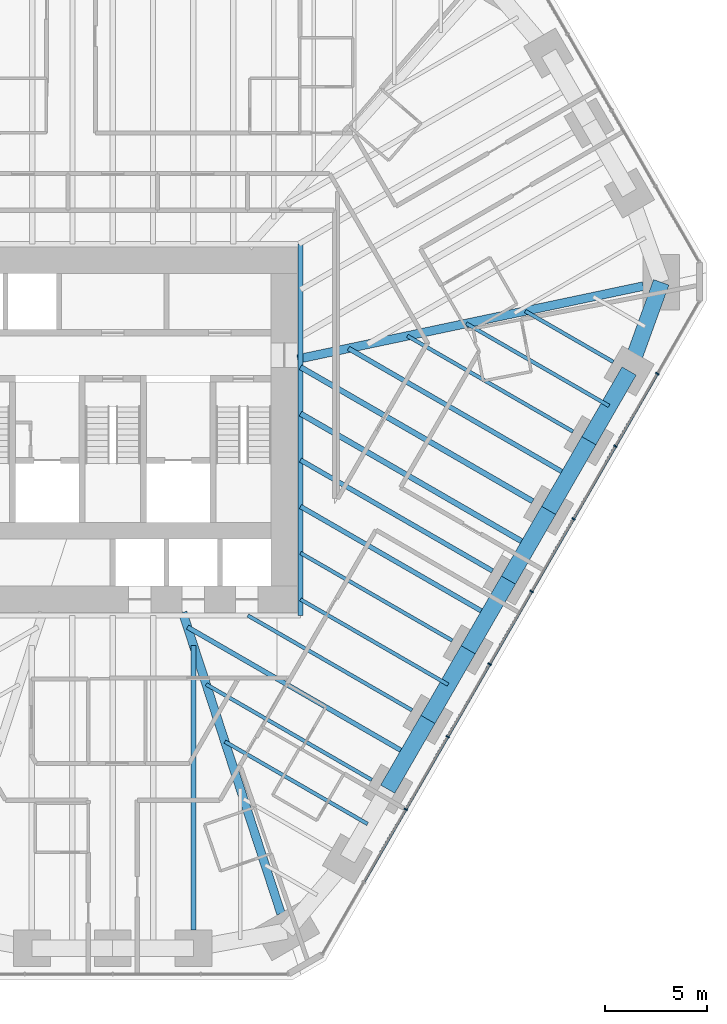
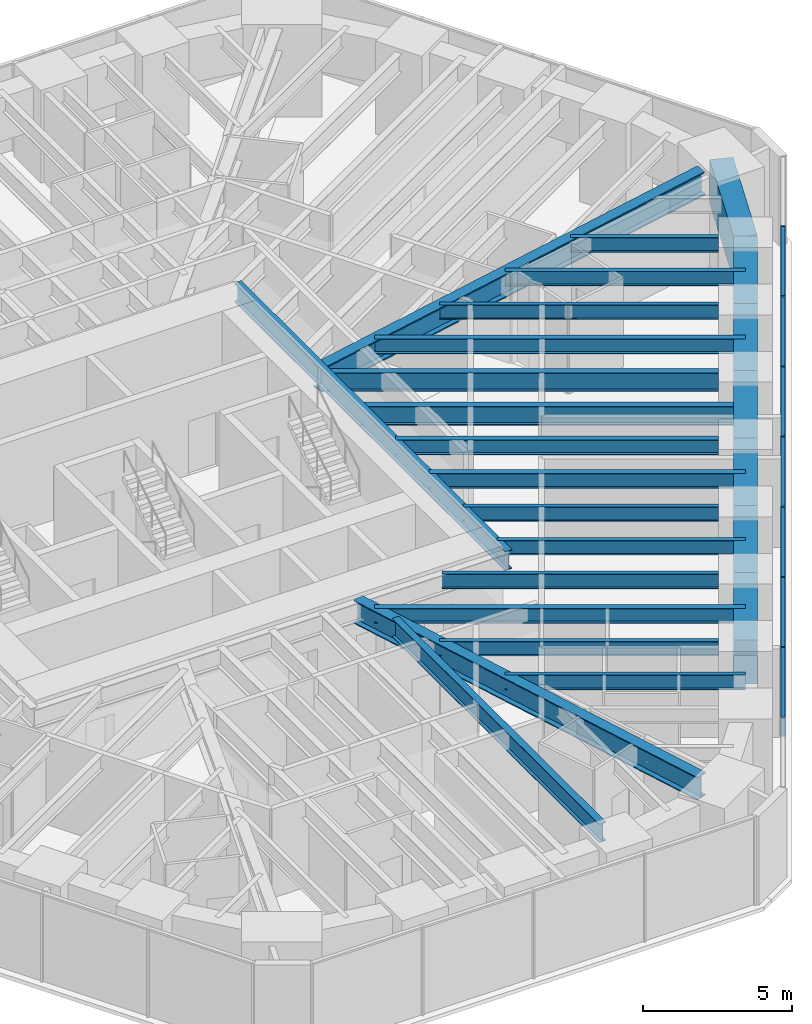
# One storey, part 5 of 17: 25 beams, 14 members, 1 element without a shape of its own.
"""IFC4 building model written with IfcOpenShell, lengths in metres."""

import ifcopenshell
import ifcopenshell.guid

model = None  # the IFC model being written
_history = None  # IfcOwnerHistory: only IFC2X3 demands one
_inside = {}  # id of a spatial element -> (the spatial element, [elements in it])
_under = {}  # id of a project, library or spatial element -> (it, [spatial elements below it])
_declared = {}  # id of a project -> (the project, [libraries it declares])
_typed = {}  # id of a type object -> (the type object, [elements of that type])
_made_of = {}  # id of a material, layer set ... -> (it, [elements and type objects made of it])


def new_model(schema):
    """Start an empty IFC model of exactly this schema.

    Asked for "IFC4X3", IfcOpenShell would pick the latest addendum, in which some entities
    have other attributes; the version numbers below select the first issue.
    IFC2X3 requires an IfcOwnerHistory on every rooted entity: one is made here for all.
    """
    global model, _history
    if schema == "IFC4X3":
        model = ifcopenshell.file(schema_version=(4, 3, 0, 0))
    else:
        model = ifcopenshell.file(schema=schema)
    _inside.clear()
    _under.clear()
    _declared.clear()
    _typed.clear()
    _made_of.clear()
    _history = None
    if model.schema == "IFC2X3":
        org = make("IfcOrganization", Name="unknown")
        user = make(
            "IfcPersonAndOrganization",
            ThePerson=make("IfcPerson", FamilyName="unknown"),
            TheOrganization=org,
        )
        app = make(
            "IfcApplication",
            ApplicationDeveloper=org,
            Version="unknown",
            ApplicationFullName="unknown",
            ApplicationIdentifier="unknown",
        )
        _history = make(
            "IfcOwnerHistory",
            OwningUser=user,
            OwningApplication=app,
            ChangeAction="ADDED",
            CreationDate=0,
        )
    return model


def make(cls, **values):
    """One entity of the class cls with the attributes given. An attribute that is None is left unset."""
    return model.create_entity(
        cls, **{name: value for name, value in values.items() if value is not None}
    )


def rooted(cls, **values):
    """An entity with a GlobalId (a new one), such as an element, a storey or a relation."""
    return make(cls, GlobalId=ifcopenshell.guid.new(), OwnerHistory=_history, **values)


def si_unit(unit_type, name, prefix=None):
    """IfcSIUnit, for example si_unit("LENGTHUNIT", "METRE", prefix="MILLI")."""
    return make("IfcSIUnit", UnitType=unit_type, Prefix=prefix, Name=name)


def assignment(units):
    """IfcUnitAssignment: the units of a project."""
    return None if units is None else make("IfcUnitAssignment", Units=units)


def point(xyz):
    """IfcCartesianPoint."""
    return None if xyz is None else make("IfcCartesianPoint", Coordinates=xyz)


def direction(xyz):
    """IfcDirection."""
    return None if xyz is None else make("IfcDirection", DirectionRatios=xyz)


def frame(location, z_axis=None, x_axis=None):
    """IfcAxis2Placement3D, a coordinate frame: its origin and axes. An axis left out is left unset."""
    return make(
        "IfcAxis2Placement3D",
        Location=point(location),
        Axis=direction(z_axis),
        RefDirection=direction(x_axis),
    )


def frame_2d(location, x_axis=None):
    """IfcAxis2Placement2D, a coordinate frame in the plane: its origin and x axis."""
    return make(
        "IfcAxis2Placement2D", Location=point(location), RefDirection=direction(x_axis)
    )


def origin():
    """The frame at (0, 0, 0) with its axes left unset."""
    return frame((0.0, 0.0, 0.0))


def origin_2d():
    """The frame at (0, 0) in the plane with its x axis left unset."""
    return frame_2d((0.0, 0.0))


def place(relative_to, where):
    """IfcLocalPlacement: puts the frame where relative to a parent placement (None: the world)."""
    return make(
        "IfcLocalPlacement", PlacementRelTo=relative_to, RelativePlacement=where
    )


def context(
    kind, dimensions, precision=None, world=None, true_north=None, identifier=None
):
    """IfcGeometricRepresentationContext, for example the 3D "Model" context."""
    return make(
        "IfcGeometricRepresentationContext",
        ContextIdentifier=identifier,
        ContextType=kind,
        CoordinateSpaceDimension=dimensions,
        Precision=precision,
        WorldCoordinateSystem=world,
        TrueNorth=true_north,
    )


def subcontext(parent, identifier, kind, view, scale=None):
    """IfcGeometricRepresentationSubContext, for example "Body" below "Model"."""
    return make(
        "IfcGeometricRepresentationSubContext",
        ContextIdentifier=identifier,
        ContextType=kind,
        ParentContext=parent,
        TargetScale=scale,
        TargetView=view,
    )


def project(units=None, contexts=None):
    """IfcProject with its units and contexts."""
    return rooted(
        "IfcProject",
        Name="project",
        RepresentationContexts=contexts,
        UnitsInContext=assignment(units),
    )


def spatial(cls, under=None, at=None, **own):
    """A site, building, storey or space (cls), placed at a placement, below another one or the project."""
    s = rooted(cls, ObjectPlacement=at, **own)
    if under is not None:
        _under.setdefault(under.id(), (under, []))[1].append(s)
    return s


def profile(cls, at=None, kind="AREA", **sizes):
    """A parametric profile (cls). Its sizes go by their IFC names, for example OverallWidth=200.0."""
    return make(cls, ProfileType=kind, Position=at, **sizes)


def rectangle(**sizes):
    """IfcRectangleProfileDef."""
    return profile("IfcRectangleProfileDef", **sizes)


def i_section(**sizes):
    """IfcIShapeProfileDef."""
    return profile("IfcIShapeProfileDef", **sizes)


def extrude(swept, where, along, depth):
    """IfcExtrudedAreaSolid: the profile swept, set in the frame where, extruded along a direction by depth."""
    return make(
        "IfcExtrudedAreaSolid",
        SweptArea=swept,
        Position=where,
        ExtrudedDirection=direction(along),
        Depth=depth,
    )


def shape(context_of_items, identifier, shape_type, items):
    """IfcShapeRepresentation: the items that make up one representation, for example the "Body"."""
    return make(
        "IfcShapeRepresentation",
        ContextOfItems=context_of_items,
        RepresentationIdentifier=identifier,
        RepresentationType=shape_type,
        Items=items,
    )


def material(Name=None, Category=None):
    """IfcMaterial."""
    return make("IfcMaterial", Name=Name, Category=Category)


def material_profile(
    of_material, cross_section, Name=None, Category=None, Priority=None
):
    """IfcMaterialProfile: a cross section and its material."""
    return make(
        "IfcMaterialProfile",
        Name=Name,
        Material=of_material,
        Profile=cross_section,
        Priority=Priority,
        Category=Category,
    )


def profile_set(profiles, Name=None, composite=None):
    """IfcMaterialProfileSet."""
    return make(
        "IfcMaterialProfileSet",
        Name=Name,
        MaterialProfiles=profiles,
        CompositeProfile=composite,
    )


def made_of(thing, what):
    """Note that an element or type object is made of a material, layer set ...; save() writes the relation."""
    if what is not None:
        _made_of.setdefault(what.id(), (what, []))[1].append(thing)
    return thing


def type_object(cls, material=None, **own):
    """A type object (cls), such as IfcWallType, which elements share."""
    return made_of(rooted(cls, **own), material)


def element(
    cls,
    number,
    at=None,
    inside=None,
    cuts=None,
    type_object=None,
    material=None,
    context=None,
    identifier="Body",
    shape_type=None,
    held_by="IfcProductDefinitionShape",
    body=None,
    shapes=None,
    **own,
):
    """One element of the class cls, such as IfcWall. Its Tag is "e" and its number.

    at: its placement. inside: the storey or other place that contains it. cuts: it is an
    opening in that element (IfcRelVoidsElement). A single representation is given by context,
    identifier, shape_type and body (its items); several are given by shapes. held_by: the class
    of the entity that holds the representations. save() writes the other relations.
    """
    e = rooted(cls, Tag="e%d" % number, ObjectPlacement=at, **own)
    if body is not None:
        shapes = [shape(context, identifier, shape_type, body)]
    if shapes is not None:
        e.Representation = make(held_by, Representations=shapes)
    if inside is not None:
        _inside.setdefault(inside.id(), (inside, []))[1].append(e)
    if cuts is not None:
        rooted(
            "IfcRelVoidsElement", RelatingBuildingElement=cuts, RelatedOpeningElement=e
        )
    if type_object is not None:
        _typed.setdefault(type_object.id(), (type_object, []))[1].append(e)
    return made_of(e, material)


def aggregate(whole, parts):
    """IfcRelAggregates: a whole, such as a stair, and the parts it consists of."""
    return rooted("IfcRelAggregates", RelatingObject=whole, RelatedObjects=parts)


def save(model, path):
    """Write the relations noted so far, then the file.

    IfcRelAggregates (storeys below a building ...), IfcRelContainedInSpatialStructure (elements
    in a storey), IfcRelDefinesByType, IfcRelAssociatesMaterial and IfcRelDeclares: one each for
    every whole, place, type object, material and project.
    """
    for whole, parts in _under.values():
        aggregate(whole, parts)
    for where, things in _inside.values():
        rooted(
            "IfcRelContainedInSpatialStructure",
            RelatedElements=things,
            RelatingStructure=where,
        )
    for kind, things in _typed.values():
        rooted("IfcRelDefinesByType", RelatedObjects=things, RelatingType=kind)
    for what, things in _made_of.values():
        rooted("IfcRelAssociatesMaterial", RelatedObjects=things, RelatingMaterial=what)
    for by, libraries in _declared.values():
        rooted("IfcRelDeclares", RelatingContext=by, RelatedDefinitions=libraries)
    model.write(path)


model = new_model("IFC4")

# Units and contexts
model_context = context("Model", 3, precision=1e-05, world=origin(), true_north=direction((0.0, 1.0)))
body_context = subcontext(model_context, "Body", "Model", "MODEL_VIEW")
ifc_project = project(units=[si_unit("LENGTHUNIT", "METRE"), si_unit("AREAUNIT", "SQUARE_METRE"), si_unit("VOLUMEUNIT", "CUBIC_METRE"), si_unit("PLANEANGLEUNIT", "RADIAN"), si_unit("MASSUNIT", "GRAM", prefix="KILO")], contexts=[model_context])

# Site, building, storey
site_placement = place(None, origin())
site = spatial("IfcSite", under=ifc_project, at=site_placement, CompositionType="ELEMENT")
building_placement = place(site_placement, origin())
building = spatial("IfcBuilding", under=site, at=building_placement, Name="Sandreach Pilgrim Tower", CompositionType="ELEMENT")
storey_placement = place(building_placement, frame((0.0, 0.0, 108.199951171875)))
storey = spatial("IfcBuildingStorey", under=building, at=storey_placement, Name="L26", CompositionType="ELEMENT", Elevation=108.199951171875)

# Curtain wall, members
ifc_material_1 = material(Name="Aluminium framed curtain wall", Category="aluminium")
curtain_wall_type = type_object("IfcCurtainWallType", Name="Hotel tower curtain wall", PredefinedType="NOTDEFINED", material=ifc_material_1)
curtain_wall_placement = place(storey_placement, origin())
curtain_wall = element("IfcCurtainWall", 1, at=curtain_wall_placement, inside=storey, type_object=curtain_wall_type, Name="CW-2 L26 SE", PredefinedType="NOTDEFINED")
ifc_material_2 = material(Name="Aluminium extrusion", Category="aluminium")
ifc_material_profile_1 = material_profile(ifc_material_2, rectangle(XDim=0.06494140625, YDim=0.179931640625, at=origin_2d()), Name="CW-2M 65X180")
ifc_profile_set_1 = profile_set([ifc_material_profile_1], Name="Aluminium extrusion")
member_type_1 = type_object("IfcMemberType", Name="CW-2 mullion", PredefinedType="MULLION", material=ifc_profile_set_1)
member_1_placement = place(storey_placement, frame((26.66748046875, 1.20166015625, 0.0), z_axis=(0.0, 0.0, 1.0), x_axis=(-0.5, -0.866025403784, 0.0)))
member_1 = element("IfcMember", 2, at=member_1_placement, type_object=member_type_1, Name="CW-2 mullion 2", PredefinedType="MULLION", context=body_context, shape_type="SweptSolid", body=[
    extrude(rectangle(XDim=0.06494140625, YDim=0.179931640625, at=origin_2d()), origin(), (0.0, 0.0, 1.0), 3.64013671875),
])
member_2_placement = place(storey_placement, frame((24.614013671875, -2.35498046875, 0.0), z_axis=(0.0, 0.0, 1.0), x_axis=(-0.5, -0.866025403784, 0.0)))
member_2 = element("IfcMember", 3, at=member_2_placement, type_object=member_type_1, Name="CW-2 mullion 3", PredefinedType="MULLION", context=body_context, shape_type="SweptSolid", body=[
    extrude(rectangle(XDim=0.06494140625, YDim=0.179931640625, at=origin_2d()), origin(), (0.0, 0.0, 1.0), 3.64013671875),
])
member_3_placement = place(storey_placement, frame((22.560302734375, -5.911865234375, 0.0), z_axis=(0.0, 0.0, 1.0), x_axis=(-0.5, -0.866025403784, 0.0)))
member_3 = element("IfcMember", 4, at=member_3_placement, type_object=member_type_1, Name="CW-2 mullion 4", PredefinedType="MULLION", context=body_context, shape_type="SweptSolid", body=[
    extrude(rectangle(XDim=0.06494140625, YDim=0.179931640625, at=origin_2d()), origin(), (0.0, 0.0, 1.0), 3.64013671875),
])
member_4_placement = place(storey_placement, frame((20.5068359375, -9.468505859375, 0.0), z_axis=(0.0, 0.0, 1.0), x_axis=(-0.5, -0.866025403784, 0.0)))
member_4 = element("IfcMember", 5, at=member_4_placement, type_object=member_type_1, Name="CW-2 mullion 5", PredefinedType="MULLION", context=body_context, shape_type="SweptSolid", body=[
    extrude(rectangle(XDim=0.06494140625, YDim=0.179931640625, at=origin_2d()), origin(), (0.0, 0.0, 1.0), 3.64013671875),
])
member_5_placement = place(storey_placement, frame((18.453369140625, -13.025146484375, 0.0), z_axis=(0.0, 0.0, 1.0), x_axis=(-0.5, -0.866025403784, 0.0)))
member_5 = element("IfcMember", 6, at=member_5_placement, type_object=member_type_1, Name="CW-2 mullion 6", PredefinedType="MULLION", context=body_context, shape_type="SweptSolid", body=[
    extrude(rectangle(XDim=0.06494140625, YDim=0.179931640625, at=origin_2d()), origin(), (0.0, 0.0, 1.0), 3.64013671875),
])
member_6_placement = place(storey_placement, frame((16.39990234375, -16.58203125, 0.0), z_axis=(0.0, 0.0, 1.0), x_axis=(-0.5, -0.866025403784, 0.0)))
member_6 = element("IfcMember", 7, at=member_6_placement, type_object=member_type_1, Name="CW-2 mullion 7", PredefinedType="MULLION", context=body_context, shape_type="SweptSolid", body=[
    extrude(rectangle(XDim=0.06494140625, YDim=0.179931640625, at=origin_2d()), origin(), (0.0, 0.0, 1.0), 3.64013671875),
])
member_7_placement = place(storey_placement, frame((14.346435546875, -20.138671875, 0.0), z_axis=(0.0, 0.0, 1.0), x_axis=(-0.5, -0.866025403784, 0.0)))
member_7 = element("IfcMember", 8, at=member_7_placement, type_object=member_type_1, Name="CW-2 mullion 8", PredefinedType="MULLION", context=body_context, shape_type="SweptSolid", body=[
    extrude(rectangle(XDim=0.06494140625, YDim=0.179931640625, at=origin_2d()), origin(), (0.0, 0.0, 1.0), 3.64013671875),
])
ifc_material_3 = material(Name="Aluminium extrusion", Category="aluminium")
ifc_material_profile_2 = material_profile(ifc_material_3, rectangle(XDim=0.139892578125, YDim=0.070068359375, at=origin_2d()), Name="CW-2T 140X70")
ifc_profile_set_2 = profile_set([ifc_material_profile_2], Name="Aluminium extrusion")
member_type_2 = type_object("IfcMemberType", Name="CW-2 transom", PredefinedType="USERDEFINED", material=ifc_profile_set_2)
member_8_placement = place(storey_placement, frame((26.651123046875, 1.173583984375, 3.60498046875), z_axis=(-0.499997818338, -0.866026663364, 0.0), x_axis=(0.866026663364, -0.499997818338, 0.0)))
member_8 = element("IfcMember", 9, at=member_8_placement, type_object=member_type_2, Name="CW-2 head transom 2", ObjectType="TRANSOM", PredefinedType="USERDEFINED", context=body_context, shape_type="SweptSolid", body=[
    extrude(rectangle(XDim=0.139892578125, YDim=0.070068359375, at=origin_2d()), origin(), (0.0, 0.0, 1.0), 4.0419921875),
])
member_9_placement = place(storey_placement, frame((24.59765625, -2.38330078125, 3.60498046875), z_axis=(-0.500023973715, -0.866011562111, 0.0), x_axis=(0.866011562111, -0.500023973715, 0.0)))
member_9 = element("IfcMember", 10, at=member_9_placement, type_object=member_type_2, Name="CW-2 head transom 3", ObjectType="TRANSOM", PredefinedType="USERDEFINED", context=body_context, shape_type="SweptSolid", body=[
    extrude(rectangle(XDim=0.139892578125, YDim=0.070068359375, at=origin_2d()), origin(), (0.0, 0.0, 1.0), 4.041748046875),
])
member_10_placement = place(storey_placement, frame((22.544189453125, -5.93994140625, 3.60498046875), z_axis=(-0.499997818338, -0.866026663364, 0.0), x_axis=(0.866026663364, -0.499997818338, 0.0)))
member_10 = element("IfcMember", 11, at=member_10_placement, type_object=member_type_2, Name="CW-2 head transom 4", ObjectType="TRANSOM", PredefinedType="USERDEFINED", context=body_context, shape_type="SweptSolid", body=[
    extrude(rectangle(XDim=0.139892578125, YDim=0.070068359375, at=origin_2d()), origin(), (0.0, 0.0, 1.0), 4.0419921875),
])
member_11_placement = place(storey_placement, frame((20.49072265625, -9.49658203125, 3.60498046875), z_axis=(-0.499997818338, -0.866026663364, 0.0), x_axis=(0.866026663364, -0.499997818338, 0.0)))
member_11 = element("IfcMember", 12, at=member_11_placement, type_object=member_type_2, Name="CW-2 head transom 5", ObjectType="TRANSOM", PredefinedType="USERDEFINED", context=body_context, shape_type="SweptSolid", body=[
    extrude(rectangle(XDim=0.139892578125, YDim=0.070068359375, at=origin_2d()), origin(), (0.0, 0.0, 1.0), 4.0419921875),
])
member_12_placement = place(storey_placement, frame((18.437255859375, -13.053466796875, 3.60498046875), z_axis=(-0.499997818338, -0.866026663364, 0.0), x_axis=(0.866026663364, -0.499997818338, 0.0)))
member_12 = element("IfcMember", 13, at=member_12_placement, type_object=member_type_2, Name="CW-2 head transom 6", ObjectType="TRANSOM", PredefinedType="USERDEFINED", context=body_context, shape_type="SweptSolid", body=[
    extrude(rectangle(XDim=0.139892578125, YDim=0.070068359375, at=origin_2d()), origin(), (0.0, 0.0, 1.0), 4.0419921875),
])
member_13_placement = place(storey_placement, frame((16.3837890625, -16.610107421875, 3.60498046875), z_axis=(-0.499997818338, -0.866026663364, 0.0), x_axis=(0.866026663364, -0.499997818338, 0.0)))
member_13 = element("IfcMember", 14, at=member_13_placement, type_object=member_type_2, Name="CW-2 head transom 7", ObjectType="TRANSOM", PredefinedType="USERDEFINED", context=body_context, shape_type="SweptSolid", body=[
    extrude(rectangle(XDim=0.139892578125, YDim=0.070068359375, at=origin_2d()), origin(), (0.0, 0.0, 1.0), 4.0419921875),
])
member_14_placement = place(storey_placement, frame((14.330322265625, -20.1669921875, 3.60498046875), z_axis=(-0.500023973715, -0.866011562111, 0.0), x_axis=(0.866011562111, -0.500023973715, 0.0)))
member_14 = element("IfcMember", 15, at=member_14_placement, type_object=member_type_2, Name="CW-2 head transom 8", ObjectType="TRANSOM", PredefinedType="USERDEFINED", context=body_context, shape_type="SweptSolid", body=[
    extrude(rectangle(XDim=0.139892578125, YDim=0.070068359375, at=origin_2d()), origin(), (0.0, 0.0, 1.0), 4.041748046875),
])
aggregate(curtain_wall, [member_1, member_2, member_3, member_4, member_5, member_6, member_7, member_8, member_9, member_10, member_11, member_12, member_13, member_14])

# Beams
ifc_material_4 = material(Name="Steel ASTM A992 Grade 50", Category="steel")
ifc_material_profile_3 = material_profile(ifc_material_4, i_section(OverallWidth=0.2666015625, OverallDepth=0.77978515625, WebThickness=0.0166015625, FlangeThickness=0.030029296875, at=origin_2d()), Name="W30X148")
ifc_profile_set_3 = profile_set([ifc_material_profile_3], Name="Steel ASTM A992 Grade 50")
beam_type_1 = type_object("IfcBeamType", Name="Core edge beam W30X148", PredefinedType="BEAM", material=ifc_profile_set_3)
beam_1_placement = place(storey_placement, frame((9.193359375, 7.54345703125, 3.250244140625), z_axis=(0.0, -1.0, 0.0), x_axis=(1.0, 0.0, 0.0)))
element("IfcBeam", 16, at=beam_1_placement, inside=storey, type_object=beam_type_1, Name="BM L26 CEE", PredefinedType="BEAM", context=body_context, shape_type="SweptSolid", body=[
    extrude(i_section(OverallWidth=0.2666015625, OverallDepth=0.77978515625, WebThickness=0.0166015625, FlangeThickness=0.030029296875, at=origin_2d()), origin(), (0.0, 0.0, 1.0), 18.186767578125),
])
ifc_material_5 = material(Name="Steel ASTM A992 Grade 50", Category="steel")
ifc_material_profile_4 = material_profile(ifc_material_5, i_section(OverallWidth=0.421630859375, OverallDepth=0.937255859375, WebThickness=0.0224609375, FlangeThickness=0.039794921875, at=origin_2d()), Name="W36X282")
ifc_profile_set_4 = profile_set([ifc_material_profile_4], Name="Steel ASTM A992 Grade 50")
beam_type_2 = type_object("IfcBeamType", Name="Corner girder W36X282", PredefinedType="BEAM", material=ifc_profile_set_4)
beam_2_placement = place(storey_placement, frame((8.238525390625, -25.23876953125, 3.17138671875), z_axis=(-0.310307109519, 0.950636364643, 0.0), x_axis=(-0.950636364643, -0.310307109519, 0.0)))
element("IfcBeam", 17, at=beam_2_placement, inside=storey, type_object=beam_type_2, Name="BM L26 CG22", PredefinedType="BEAM", context=body_context, shape_type="SweptSolid", body=[
    extrude(i_section(OverallWidth=0.421630859375, OverallDepth=0.937255859375, WebThickness=0.0224609375, FlangeThickness=0.039794921875, at=origin_2d()), origin(), (0.0, 0.0, 1.0), 15.504150390625),
])
ifc_material_6 = material(Name="Steel ASTM A992 Grade 50", Category="steel")
ifc_material_profile_5 = material_profile(ifc_material_6, i_section(OverallWidth=0.424072265625, OverallDepth=0.965087890625, WebThickness=0.028564453125, FlangeThickness=0.051025390625, at=origin_2d()), Name="W36X361")
ifc_profile_set_5 = profile_set([ifc_material_profile_5], Name="Steel ASTM A992 Grade 50")
beam_type_3 = type_object("IfcBeamType", Name="Corner girder W36X361", PredefinedType="BEAM", material=ifc_profile_set_5)
beam_3_placement = place(storey_placement, frame((25.976806640625, 5.484619140625, 3.157470703125), z_axis=(-0.978427882284, -0.206588671447, 0.0), x_axis=(0.206588671447, -0.978427882284, 0.0)))
element("IfcBeam", 18, at=beam_3_placement, inside=storey, type_object=beam_type_3, Name="BM L26 CG13", PredefinedType="BEAM", context=body_context, shape_type="SweptSolid", body=[
    extrude(i_section(OverallWidth=0.424072265625, OverallDepth=0.965087890625, WebThickness=0.028564453125, FlangeThickness=0.051025390625, at=origin_2d()), origin(), (0.0, 0.0, 1.0), 17.300048828125),
])
ifc_material_7 = material(Name="Steel ASTM A992 Grade 50", Category="steel")
ifc_material_profile_6 = material_profile(ifc_material_7, i_section(OverallWidth=0.1787109375, OverallDepth=0.60205078125, WebThickness=0.010986328125, FlangeThickness=0.014892578125, at=origin_2d()), Name="W24X62")
ifc_profile_set_6 = profile_set([ifc_material_profile_6], Name="Steel ASTM A992 Grade 50")
beam_type_4 = type_object("IfcBeamType", Name="Floor beam W24X62", PredefinedType="BEAM", material=ifc_profile_set_6)
beam_4_placement = place(storey_placement, frame((24.50439453125, 1.775390625, 3.339111328125), z_axis=(-0.866024645457, 0.500001313459, 0.0), x_axis=(-0.500001313459, -0.866024645457, 0.0)))
element("IfcBeam", 19, at=beam_4_placement, inside=storey, type_object=beam_type_4, Name="BM L26 F14", PredefinedType="BEAM", context=body_context, shape_type="SweptSolid", body=[
    extrude(i_section(OverallWidth=0.1787109375, OverallDepth=0.60205078125, WebThickness=0.010986328125, FlangeThickness=0.014892578125, at=origin_2d()), origin(), (0.0, 0.0, 1.0), 4.9765625),
])
beam_5_placement = place(storey_placement, frame((22.534423828125, -1.63671875, 3.339111328125), z_axis=(-0.866012351917, 0.500022605817, 0.0), x_axis=(-0.500022605817, -0.866012351917, 0.0)))
element("IfcBeam", 20, at=beam_5_placement, inside=storey, type_object=beam_type_4, Name="BM L26 F15", PredefinedType="BEAM", context=body_context, shape_type="SweptSolid", body=[
    extrude(i_section(OverallWidth=0.1787109375, OverallDepth=0.60205078125, WebThickness=0.010986328125, FlangeThickness=0.014892578125, at=origin_2d()), origin(), (0.0, 0.0, 1.0), 9.3642578125),
])
beam_6_placement = place(storey_placement, frame((16.62451171875, -11.873046875, 3.339111328125), z_axis=(-0.866017857595, 0.500013070155, 0.0), x_axis=(-0.500013070155, -0.866017857595, 0.0)))
element("IfcBeam", 21, at=beam_6_placement, inside=storey, type_object=beam_type_4, Name="BM L26 F18", PredefinedType="BEAM", context=body_context, shape_type="SweptSolid", body=[
    extrude(i_section(OverallWidth=0.1787109375, OverallDepth=0.60205078125, WebThickness=0.010986328125, FlangeThickness=0.014892578125, at=origin_2d()), origin(), (0.0, 0.0, 1.0), 8.580810546875),
])
beam_7_placement = place(storey_placement, frame((14.654541015625, -15.28515625, 3.339111328125), z_axis=(-0.866015659929, 0.500016876472, 0.0), x_axis=(-0.500016876472, -0.866015659929, 0.0)))
element("IfcBeam", 22, at=beam_7_placement, inside=storey, type_object=beam_type_4, Name="BM L26 F19", PredefinedType="BEAM", context=body_context, shape_type="SweptSolid", body=[
    extrude(i_section(OverallWidth=0.1787109375, OverallDepth=0.60205078125, WebThickness=0.010986328125, FlangeThickness=0.014892578125, at=origin_2d()), origin(), (0.0, 0.0, 1.0), 9.283447265625),
])
beam_8_placement = place(storey_placement, frame((12.6845703125, -18.697265625, 3.339111328125), z_axis=(-0.866012351917, 0.500022605817, 0.0), x_axis=(-0.500022605817, -0.866012351917, 0.0)))
element("IfcBeam", 23, at=beam_8_placement, inside=storey, type_object=beam_type_4, Name="BM L26 F20", PredefinedType="BEAM", context=body_context, shape_type="SweptSolid", body=[
    extrude(i_section(OverallWidth=0.1787109375, OverallDepth=0.60205078125, WebThickness=0.010986328125, FlangeThickness=0.014892578125, at=origin_2d()), origin(), (0.0, 0.0, 1.0), 9.3642578125),
])
beam_9_placement = place(storey_placement, frame((24.298828125, -0.380615234375, 3.339111328125), z_axis=(-0.866022864518, 0.500004398112, 0.0), x_axis=(-0.500004398112, -0.866022864518, 0.0)))
element("IfcBeam", 24, at=beam_9_placement, inside=storey, type_object=beam_type_4, Name="BM L26 FM14", PredefinedType="BEAM", context=body_context, shape_type="SweptSolid", body=[
    extrude(i_section(OverallWidth=0.1787109375, OverallDepth=0.60205078125, WebThickness=0.010986328125, FlangeThickness=0.014892578125, at=origin_2d()), origin(), (0.0, 0.0, 1.0), 8.0703125),
])
beam_10_placement = place(storey_placement, frame((16.4189453125, -14.029052734375, 3.339111328125), z_axis=(-0.866016009309, 0.500016271356, 0.0), x_axis=(-0.500016271356, -0.866016009309, 0.0)))
element("IfcBeam", 25, at=beam_10_placement, inside=storey, type_object=beam_type_4, Name="BM L26 FM18", PredefinedType="BEAM", context=body_context, shape_type="SweptSolid", body=[
    extrude(i_section(OverallWidth=0.1787109375, OverallDepth=0.60205078125, WebThickness=0.010986328125, FlangeThickness=0.014892578125, at=origin_2d()), origin(), (0.0, 0.0, 1.0), 8.343505859375),
])
beam_11_placement = place(storey_placement, frame((12.47900390625, -20.853271484375, 3.339111328125), z_axis=(-0.866017328257, 0.500013986963, 0.0), x_axis=(-0.500013986963, -0.866017328257, 0.0)))
element("IfcBeam", 26, at=beam_11_placement, inside=storey, type_object=beam_type_4, Name="BM L26 FM20", PredefinedType="BEAM", context=body_context, shape_type="SweptSolid", body=[
    extrude(i_section(OverallWidth=0.1787109375, OverallDepth=0.60205078125, WebThickness=0.010986328125, FlangeThickness=0.014892578125, at=origin_2d()), origin(), (0.0, 0.0, 1.0), 8.070556640625),
])
ifc_material_8 = material(Name="Steel ASTM A992 Grade 50", Category="steel")
ifc_material_profile_7 = material_profile(ifc_material_8, i_section(OverallWidth=0.23046875, OverallDepth=0.6171875, WebThickness=0.01318359375, FlangeThickness=0.022216796875, at=origin_2d()), Name="W24X94")
ifc_profile_set_7 = profile_set([ifc_material_profile_7], Name="Steel ASTM A992 Grade 50")
beam_type_5 = type_object("IfcBeamType", Name="Floor beam W24X94", PredefinedType="BEAM", material=ifc_profile_set_7)
beam_12_placement = place(storey_placement, frame((18.594482421875, -8.4609375, 3.33154296875), z_axis=(-0.866015926388, 0.500016414973, 0.0), x_axis=(-0.500016414973, -0.866015926388, 0.0)))
element("IfcBeam", 27, at=beam_12_placement, inside=storey, type_object=beam_type_5, Name="BM L26 F17", PredefinedType="BEAM", context=body_context, shape_type="SweptSolid", body=[
    extrude(i_section(OverallWidth=0.23046875, OverallDepth=0.6171875, WebThickness=0.01318359375, FlangeThickness=0.022216796875, at=origin_2d()), origin(), (0.0, 0.0, 1.0), 10.855712890625),
])
beam_13_placement = place(storey_placement, frame((22.328857421875, -3.792724609375, 3.33154296875), z_axis=(-0.866019150617, 0.500010830648, 0.0), x_axis=(-0.500010830648, -0.866019150617, 0.0)))
element("IfcBeam", 28, at=beam_13_placement, inside=storey, type_object=beam_type_5, Name="BM L26 FM15", PredefinedType="BEAM", context=body_context, shape_type="SweptSolid", body=[
    extrude(i_section(OverallWidth=0.23046875, OverallDepth=0.6171875, WebThickness=0.01318359375, FlangeThickness=0.022216796875, at=origin_2d()), origin(), (0.0, 0.0, 1.0), 12.458251953125),
])
beam_14_placement = place(storey_placement, frame((18.388916015625, -10.616943359375, 3.33154296875), z_axis=(-0.866024387147, 0.500001760863, 0.0), x_axis=(-0.500001760863, -0.866024387147, 0.0)))
element("IfcBeam", 29, at=beam_14_placement, inside=storey, type_object=beam_type_5, Name="BM L26 FM17", PredefinedType="BEAM", context=body_context, shape_type="SweptSolid", body=[
    extrude(i_section(OverallWidth=0.23046875, OverallDepth=0.6171875, WebThickness=0.01318359375, FlangeThickness=0.022216796875, at=origin_2d()), origin(), (0.0, 0.0, 1.0), 10.6181640625),
])
beam_15_placement = place(storey_placement, frame((14.448974609375, -17.441162109375, 3.33154296875), z_axis=(-0.866019150617, 0.500010830648, 0.0), x_axis=(-0.500010830648, -0.866019150617, 0.0)))
element("IfcBeam", 30, at=beam_15_placement, inside=storey, type_object=beam_type_5, Name="BM L26 FM19", PredefinedType="BEAM", context=body_context, shape_type="SweptSolid", body=[
    extrude(i_section(OverallWidth=0.23046875, OverallDepth=0.6171875, WebThickness=0.01318359375, FlangeThickness=0.022216796875, at=origin_2d()), origin(), (0.0, 0.0, 1.0), 12.458251953125),
])
ifc_material_9 = material(Name="Steel ASTM A992 Grade 50", Category="steel")
ifc_material_profile_8 = material_profile(ifc_material_9, i_section(OverallWidth=0.2666015625, OverallDepth=0.761962890625, WebThickness=0.014404296875, FlangeThickness=0.021484375, at=origin_2d()), Name="W30X116")
ifc_profile_set_8 = profile_set([ifc_material_profile_8], Name="Steel ASTM A992 Grade 50")
beam_type_6 = type_object("IfcBeamType", Name="Floor beam W30X116", PredefinedType="BEAM", material=ifc_profile_set_8)
beam_16_placement = place(storey_placement, frame((20.564453125, -5.048828125, 3.259033203125), z_axis=(-0.866022715736, 0.500004655807, 0.0), x_axis=(-0.500004655807, -0.866022715736, 0.0)))
element("IfcBeam", 31, at=beam_16_placement, inside=storey, type_object=beam_type_6, Name="BM L26 F16", PredefinedType="BEAM", context=body_context, shape_type="SweptSolid", body=[
    extrude(i_section(OverallWidth=0.2666015625, OverallDepth=0.761962890625, WebThickness=0.014404296875, FlangeThickness=0.021484375, at=origin_2d()), origin(), (0.0, 0.0, 1.0), 13.130126953125),
])
beam_17_placement = place(storey_placement, frame((3.955322265625, -26.0322265625, 3.259033203125), z_axis=(0.0, 1.0, 0.0), x_axis=(-1.0, 0.0, 0.0)))
element("IfcBeam", 32, at=beam_17_placement, inside=storey, type_object=beam_type_6, Name="BM L26 F23", PredefinedType="BEAM", context=body_context, shape_type="SweptSolid", body=[
    extrude(i_section(OverallWidth=0.2666015625, OverallDepth=0.761962890625, WebThickness=0.014404296875, FlangeThickness=0.021484375, at=origin_2d()), origin(), (0.0, 0.0, 1.0), 13.91552734375),
])
beam_18_placement = place(storey_placement, frame((20.35888671875, -7.204833984375, 3.259033203125), z_axis=(-0.866021609098, 0.500006572533, 0.0), x_axis=(-0.500006572533, -0.866021609098, 0.0)))
element("IfcBeam", 33, at=beam_18_placement, inside=storey, type_object=beam_type_6, Name="BM L26 FM16", PredefinedType="BEAM", context=body_context, shape_type="SweptSolid", body=[
    extrude(i_section(OverallWidth=0.2666015625, OverallDepth=0.761962890625, WebThickness=0.014404296875, FlangeThickness=0.021484375, at=origin_2d()), origin(), (0.0, 0.0, 1.0), 12.892822265625),
])
ifc_material_10 = material(Name="Concrete 10000 psi", Category="concrete")
ifc_material_profile_9 = material_profile(ifc_material_10, rectangle(XDim=0.800048828125, YDim=1.800048828125, at=origin_2d()), Name="RC800X1800")
ifc_profile_set_9 = profile_set([ifc_material_profile_9], Name="Concrete 10000 psi")
beam_type_7 = type_object("IfcBeamType", Name="Spandrel beam RC800X1800", PredefinedType="SPANDREL", material=ifc_profile_set_9)
beam_19_placement = place(storey_placement, frame((26.857177734375, 5.67041015625, 2.739990234375), z_axis=(-0.340453163563, -0.940261476091, 0.0), x_axis=(0.940261476091, -0.340453163563, 0.0)))
element("IfcBeam", 34, at=beam_19_placement, inside=storey, type_object=beam_type_7, Name="BM L26 SP13", PredefinedType="SPANDREL", context=body_context, shape_type="SweptSolid", body=[
    extrude(rectangle(XDim=0.800048828125, YDim=1.800048828125, at=origin_2d()), origin(), (0.0, 0.0, 1.0), 4.62109375),
])
for number, where, z_axis, x_axis, name in (
    (35, (25.283935546875, 1.325439453125, 2.739990234375), (-0.49999779889, -0.866026674592, 0.0), (0.866026674592, -0.49999779889, 0.0), "BM L26 SP14"),
    (36, (23.31396484375, -2.086669921875, 2.739990234375), (-0.49999779889, -0.866026674592, 0.0), (0.866026674592, -0.49999779889, 0.0), "BM L26 SP15"),
    (37, (21.343994140625, -5.498779296875, 2.739990234375), (-0.49999779889, -0.866026674592, 0.0), (0.866026674592, -0.49999779889, 0.0), "BM L26 SP16"),
    (38, (19.3740234375, -8.910888671875, 2.739990234375), (-0.49999779889, -0.866026674592, 0.0), (0.866026674592, -0.49999779889, 0.0), "BM L26 SP17"),
    (39, (17.404052734375, -12.322998046875, 2.739990234375), (-0.49999779889, -0.866026674592, 0.0), (0.866026674592, -0.49999779889, 0.0), "BM L26 SP18"),
    (40, (15.43408203125, -15.735107421875, 2.739990234375), (-0.49999779889, -0.866026674592, 0.0), (0.866026674592, -0.49999779889, 0.0), "BM L26 SP19"),
):
    element("IfcBeam", number, at=place(storey_placement, frame(where, z_axis=z_axis, x_axis=x_axis)), inside=storey, type_object=beam_type_7, Name=name, PredefinedType="SPANDREL", context=body_context, shape_type="SweptSolid", body=[
        extrude(rectangle(XDim=0.800048828125, YDim=1.800048828125, at=origin_2d()), origin(), (0.0, 0.0, 1.0), 3.93994140625),
    ])

save(model, "model.ifc")
